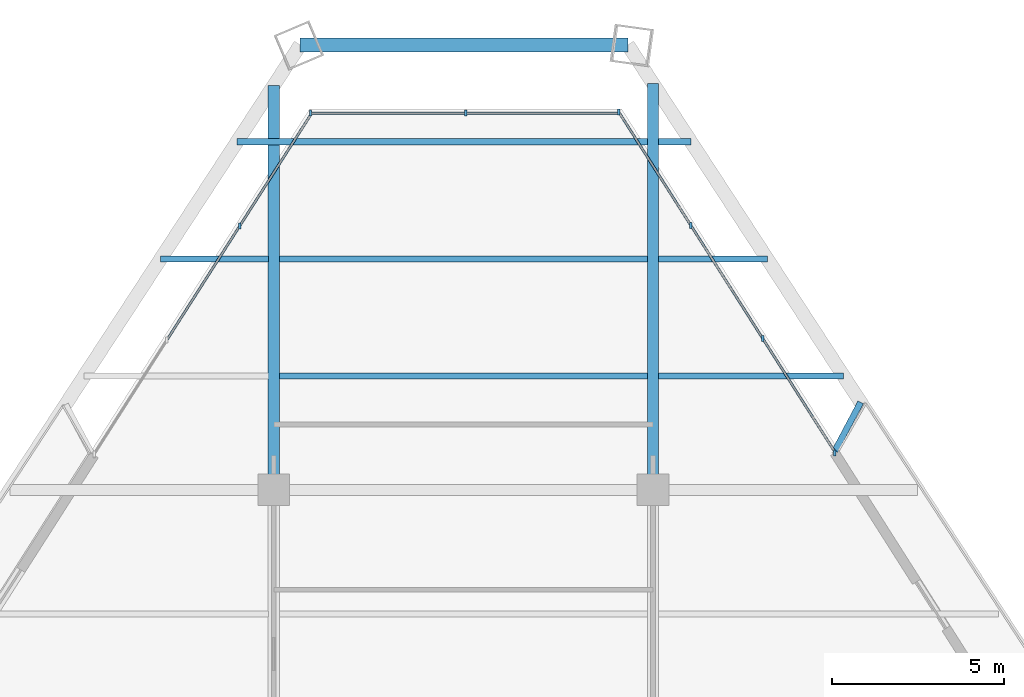
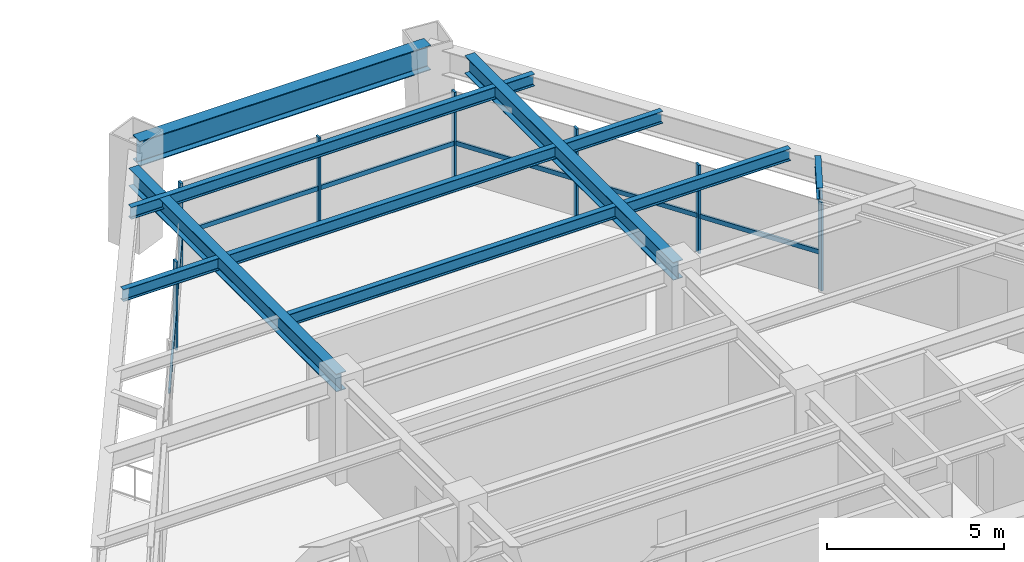
# One storey, part 9 of 15: 14 members, 11 beams, 3 elements without a shape of their own.
"""IFC4 building model written with IfcOpenShell, lengths in metres."""

from ifc_helpers import new_model, si_unit, direction, frame, origin, origin_2d, place, context, subcontext, project, spatial, rectangle, i_section, extrude, source, transform, mapped, material, material_profile, profile_set, type_object, element, aggregate, save


model = new_model("IFC4")

# Units and contexts
model_context = context("Model", 3, precision=1e-05, world=origin(), true_north=direction((0.0, 1.0)))
body_context = subcontext(model_context, "Body", "Model", "MODEL_VIEW")
ifc_project = project(units=[si_unit("LENGTHUNIT", "METRE"), si_unit("AREAUNIT", "SQUARE_METRE"), si_unit("VOLUMEUNIT", "CUBIC_METRE"), si_unit("PLANEANGLEUNIT", "RADIAN"), si_unit("MASSUNIT", "GRAM", prefix="KILO")], contexts=[model_context])

# Site, building, storey
site_placement = place(None, origin())
site = spatial("IfcSite", under=ifc_project, at=site_placement, CompositionType="ELEMENT")
building_placement = place(site_placement, origin())
building = spatial("IfcBuilding", under=site, at=building_placement, Name="Varnakhor Terracotta Tower", CompositionType="ELEMENT")
storey_placement = place(building_placement, frame((0.0, 0.0, 158.89990234375)))
storey = spatial("IfcBuildingStorey", under=building, at=storey_placement, Name="L40", CompositionType="ELEMENT", Elevation=158.89990234375)

# Beams
ifc_material_1 = material(Name="Steel S355", Category="steel")
ifc_material_profile_1 = material_profile(ifc_material_1, i_section(OverallWidth=0.179931640625, OverallDepth=0.4130859375, WebThickness=0.009765625, FlangeThickness=0.01611328125, FilletRadius=0.01806640625, at=origin_2d()), Name="W16X50")
ifc_profile_set_1 = profile_set([ifc_material_profile_1], Name="Steel S355")
beam_type_1 = type_object("IfcBeamType", Name="JST-W16X50", PredefinedType="JOIST", material=ifc_profile_set_1)
shared_shape_1 = source(origin(), body_context, "Body", "SweptSolid", [
    extrude(i_section(OverallWidth=0.179931640625, OverallDepth=0.4130859375, WebThickness=0.009765625, FlangeThickness=0.01611328125, FilletRadius=0.01806640625, at=origin_2d()), origin(), (0.0, 0.0, 1.0), 10.68310546875),
])
for number, where, z_axis, x_axis, name in (
    (1, (-5.341552734375, 34.800048828125, 3.263671875), (1.0, 0.0, 0.0), (0.0, 1.0, 0.0), "L40 Composite Floor Joist 7-2"),
    (2, (-5.341552734375, 38.199951171875, 3.263671875), (1.0, 0.0, 0.0), (0.0, 1.0, 0.0), "L40 Composite Floor Joist 8-2"),
):
    element("IfcBeam", number, at=place(storey_placement, frame(where, z_axis=z_axis, x_axis=x_axis)), inside=storey, type_object=beam_type_1, Name=name, PredefinedType="JOIST", context=body_context, shape_type="MappedRepresentation", body=[
        mapped(shared_shape_1, transform((0.0, 0.0, 0.0), scale=1.0)),
    ])
ifc_material_profile_2 = material_profile(ifc_material_1, i_section(OverallWidth=0.39990234375, OverallDepth=0.85498046875, WebThickness=0.01806640625, FlangeThickness=0.029052734375, FilletRadius=0.01806640625, at=origin_2d()), Name="W33X201")
ifc_profile_set_2 = profile_set([ifc_material_profile_2], Name="Steel S355")
beam_type_2 = type_object("IfcBeamType", Name="BM-W33X201", PredefinedType="BEAM", material=ifc_profile_set_2)
shared_shape_2 = source(origin(), body_context, "Body", "SweptSolid", [
    extrude(i_section(OverallWidth=0.39990234375, OverallDepth=0.85498046875, WebThickness=0.01806640625, FlangeThickness=0.029052734375, FilletRadius=0.01806640625, at=origin_2d()), origin(), (0.0, 0.0, 1.0), 9.504638671875),
])
beam_1_placement = place(storey_placement, frame((4.77099609375, 44.410400390625, 3.04248046875), z_axis=(-1.0, 0.0, 0.0), x_axis=(0.0, -1.0, 0.0)))
element("IfcBeam", 3, at=beam_1_placement, inside=storey, type_object=beam_type_2, Name="L40 Perimeter Spandrel 5", PredefinedType="BEAM", context=body_context, shape_type="MappedRepresentation", body=[
    mapped(shared_shape_2, transform((0.0, 0.0, 0.0), scale=1.0)),
])
ifc_material_profile_3 = material_profile(ifc_material_1, i_section(OverallWidth=0.324951171875, OverallDepth=0.615966796875, WebThickness=0.013916015625, FlangeThickness=0.02197265625, FilletRadius=0.01806640625, at=origin_2d()), Name="W24X117")
ifc_profile_set_3 = profile_set([ifc_material_profile_3], Name="Steel S355")
beam_type_3 = type_object("IfcBeamType", Name="BM-W24X117", PredefinedType="BEAM", material=ifc_profile_set_3)
shared_shape_3 = source(origin(), body_context, "Body", "SweptSolid", [
    extrude(i_section(OverallWidth=0.324951171875, OverallDepth=0.615966796875, WebThickness=0.013916015625, FlangeThickness=0.02197265625, FilletRadius=0.01806640625, at=origin_2d()), origin(), (0.0, 0.0, 1.0), 11.735595703125),
])
beam_2_placement = place(storey_placement, frame((-5.5, 31.5, 3.162109375), z_axis=(0.0, 1.0, 0.0), x_axis=(-1.0, 0.0, 0.0)))
element("IfcBeam", 4, at=beam_2_placement, inside=storey, type_object=beam_type_3, Name="L40 Primary Girder NS3-W", PredefinedType="BEAM", context=body_context, shape_type="MappedRepresentation", body=[
    mapped(shared_shape_3, transform((0.0, 0.0, 0.0), scale=1.0)),
])
shared_shape_4 = source(origin(), body_context, "Body", "SweptSolid", [
    extrude(i_section(OverallWidth=0.324951171875, OverallDepth=0.615966796875, WebThickness=0.013916015625, FlangeThickness=0.02197265625, FilletRadius=0.01806640625, at=origin_2d()), origin(), (0.0, 0.0, 1.0), 11.791259765625),
])
beam_3_placement = place(storey_placement, frame((5.5, 31.5, 3.162109375), z_axis=(0.0, 1.0, 0.0), x_axis=(-1.0, 0.0, 0.0)))
element("IfcBeam", 5, at=beam_3_placement, inside=storey, type_object=beam_type_3, Name="L40 Primary Girder NS3-E", PredefinedType="BEAM", context=body_context, shape_type="MappedRepresentation", body=[
    mapped(shared_shape_4, transform((0.0, 0.0, 0.0), scale=1.0)),
])
shared_shape_5 = source(origin(), body_context, "Body", "SweptSolid", [
    extrude(i_section(OverallWidth=0.179931640625, OverallDepth=0.4130859375, WebThickness=0.009765625, FlangeThickness=0.01611328125, FilletRadius=0.01806640625, at=origin_2d()), origin(), (0.0, 0.0, 1.0), 5.37353515625),
])
beam_4_placement = place(storey_placement, frame((5.658447265625, 34.800048828125, 3.263671875), z_axis=(1.0, 0.0, 0.0), x_axis=(0.0, 1.0, 0.0)))
element("IfcBeam", 6, at=beam_4_placement, inside=storey, type_object=beam_type_1, Name="L40 Composite Floor Joist 7-3", PredefinedType="JOIST", context=body_context, shape_type="MappedRepresentation", body=[
    mapped(shared_shape_5, transform((0.0, 0.0, 0.0), scale=1.0)),
])
shared_shape_6 = source(origin(), body_context, "Body", "SweptSolid", [
    extrude(i_section(OverallWidth=0.179931640625, OverallDepth=0.4130859375, WebThickness=0.009765625, FlangeThickness=0.01611328125, FilletRadius=0.01806640625, at=origin_2d()), origin(), (0.0, 0.0, 1.0), 3.12646484375),
])
beam_5_placement = place(storey_placement, frame((-8.784912109375, 38.199951171875, 3.263671875), z_axis=(1.0, 0.0, 0.0), x_axis=(0.0, 1.0, 0.0)))
element("IfcBeam", 7, at=beam_5_placement, inside=storey, type_object=beam_type_1, Name="L40 Composite Floor Joist 8-1", PredefinedType="JOIST", context=body_context, shape_type="MappedRepresentation", body=[
    mapped(shared_shape_6, transform((0.0, 0.0, 0.0), scale=1.0)),
])
shared_shape_7 = source(origin(), body_context, "Body", "SweptSolid", [
    extrude(i_section(OverallWidth=0.179931640625, OverallDepth=0.4130859375, WebThickness=0.009765625, FlangeThickness=0.01611328125, FilletRadius=0.01806640625, at=origin_2d()), origin(), (0.0, 0.0, 1.0), 3.158447265625),
])
beam_6_placement = place(storey_placement, frame((5.658447265625, 38.199951171875, 3.263671875), z_axis=(1.0, 0.0, 0.0), x_axis=(0.0, 1.0, 0.0)))
element("IfcBeam", 8, at=beam_6_placement, inside=storey, type_object=beam_type_1, Name="L40 Composite Floor Joist 8-3", PredefinedType="JOIST", context=body_context, shape_type="MappedRepresentation", body=[
    mapped(shared_shape_7, transform((0.0, 0.0, 0.0), scale=1.0)),
])
shared_shape_8 = source(origin(), body_context, "Body", "SweptSolid", [
    extrude(i_section(OverallWidth=0.179931640625, OverallDepth=0.4130859375, WebThickness=0.009765625, FlangeThickness=0.01611328125, FilletRadius=0.01806640625, at=origin_2d()), origin(), (0.0, 0.0, 1.0), 11.908447265625),
])
beam_7_placement = place(storey_placement, frame((-6.56689453125, 41.60009765625, 3.263671875), z_axis=(1.0, 0.0, 0.0), x_axis=(0.0, 1.0, 0.0)))
element("IfcBeam", 9, at=beam_7_placement, inside=storey, type_object=beam_type_1, Name="L40 Composite Floor Joist 9-1", PredefinedType="JOIST", context=body_context, shape_type="MappedRepresentation", body=[
    mapped(shared_shape_8, transform((0.0, 0.0, 0.0), scale=1.0)),
])
shared_shape_9 = source(origin(), body_context, "Body", "SweptSolid", [
    extrude(i_section(OverallWidth=0.179931640625, OverallDepth=0.4130859375, WebThickness=0.009765625, FlangeThickness=0.01611328125, FilletRadius=0.01806640625, at=origin_2d()), origin(), (0.0, 0.0, 1.0), 0.943359375),
])
beam_8_placement = place(storey_placement, frame((5.658447265625, 41.60009765625, 3.263671875), z_axis=(1.0, 0.0, 0.0), x_axis=(0.0, 1.0, 0.0)))
element("IfcBeam", 10, at=beam_8_placement, inside=storey, type_object=beam_type_1, Name="L40 Composite Floor Joist 9-2", PredefinedType="JOIST", context=body_context, shape_type="MappedRepresentation", body=[
    mapped(shared_shape_9, transform((0.0, 0.0, 0.0), scale=1.0)),
])

# Curtain wall, member
ifc_material_2 = material(Name="Anodised Aluminium Curtain Wall System", Category="aluminium")
curtain_wall_type = type_object("IfcCurtainWallType", Name="CW-SYS-MID-OFFICE", PredefinedType="NOTDEFINED", material=ifc_material_2)
curtain_wall_1_placement = place(storey_placement, origin())
curtain_wall_1 = element("IfcCurtainWall", 11, at=curtain_wall_1_placement, inside=storey, type_object=curtain_wall_type, Name="L40 W Facet Curtain Wall 2", PredefinedType="NOTDEFINED")
ifc_material_3 = material(Name="Anodised Aluminium 6063-T6", Category="aluminium")
ifc_material_profile_4 = material_profile(ifc_material_3, rectangle(XDim=0.070068359375, YDim=0.175048828125, at=origin_2d()), Name="ALU MULLION 70x175")
ifc_profile_set_4 = profile_set([ifc_material_profile_4], Name="Anodised Aluminium 6063-T6")
member_type_1 = type_object("IfcMemberType", Name="CWM-03", PredefinedType="MULLION", material=ifc_profile_set_4)
shared_shape_10 = source(origin(), body_context, "Body", "SweptSolid", [
    extrude(rectangle(XDim=0.070068359375, YDim=0.175048828125, at=origin_2d()), origin(), (0.0, 0.0, 1.0), 3.050048828125),
])
member_1_placement = place(storey_placement, frame((-6.490478515625, 39.1533203125, 0.0), z_axis=(0.0, 0.0, 1.0), x_axis=(1.0, 0.0, 0.0)))
member_1 = element("IfcMember", 12, at=member_1_placement, type_object=member_type_1, Name="L40 W Facet Curtain Wall 2 Mullion 3", PredefinedType="MULLION", context=body_context, shape_type="MappedRepresentation", body=[
    mapped(shared_shape_10, transform((0.0, 0.0, 0.0), scale=1.0)),
])

# Curtain wall, members
curtain_wall_2_placement = place(storey_placement, origin())
curtain_wall_2 = element("IfcCurtainWall", 13, at=curtain_wall_2_placement, inside=storey, type_object=curtain_wall_type, Name="L40 Facet Curtain Wall 2", PredefinedType="NOTDEFINED")
member_2_placement = place(storey_placement, frame((-4.43408203125, 42.428955078125, 0.0), z_axis=(0.0, 0.0, 1.0), x_axis=(1.0, 0.0, 0.0)))
member_2 = element("IfcMember", 14, at=member_2_placement, type_object=member_type_1, Name="L40 Facet Curtain Wall 2 Mullion 1", PredefinedType="MULLION", context=body_context, shape_type="MappedRepresentation", body=[
    mapped(shared_shape_10, transform((0.0, 0.0, 0.0), scale=1.0)),
])
member_3_placement = place(storey_placement, frame((0.06591796875, 42.428955078125, 0.0), z_axis=(0.0, 0.0, 1.0), x_axis=(1.0, 0.0, 0.0)))
member_3 = element("IfcMember", 15, at=member_3_placement, type_object=member_type_1, Name="L40 Facet Curtain Wall 2 Mullion 2", PredefinedType="MULLION", context=body_context, shape_type="MappedRepresentation", body=[
    mapped(shared_shape_10, transform((0.0, 0.0, 0.0), scale=1.0)),
])

curtain_wall_3_placement = place(storey_placement, origin())
curtain_wall_3 = element("IfcCurtainWall", 16, at=curtain_wall_3_placement, inside=storey, type_object=curtain_wall_type, Name="L40 E Facet Curtain Wall 1", PredefinedType="NOTDEFINED")
member_4_placement = place(storey_placement, frame((4.510498046875, 42.459228515625, 0.0), z_axis=(0.0, 0.0, 1.0), x_axis=(1.0, 0.0, 0.0)))
member_4 = element("IfcMember", 17, at=member_4_placement, type_object=member_type_1, Name="L40 E Facet Curtain Wall 1 Mullion 1", PredefinedType="MULLION", context=body_context, shape_type="MappedRepresentation", body=[
    mapped(shared_shape_10, transform((0.0, 0.0, 0.0), scale=1.0)),
])
member_5_placement = place(storey_placement, frame((6.598388671875, 39.17431640625, 0.0), z_axis=(0.0, 0.0, 1.0), x_axis=(1.0, 0.0, 0.0)))
member_5 = element("IfcMember", 18, at=member_5_placement, type_object=member_type_1, Name="L40 E Facet Curtain Wall 1 Mullion 2", PredefinedType="MULLION", context=body_context, shape_type="MappedRepresentation", body=[
    mapped(shared_shape_10, transform((0.0, 0.0, 0.0), scale=1.0)),
])
member_6_placement = place(storey_placement, frame((8.686279296875, 35.8896484375, 0.0), z_axis=(0.0, 0.0, 1.0), x_axis=(1.0, 0.0, 0.0)))
member_6 = element("IfcMember", 19, at=member_6_placement, type_object=member_type_1, Name="L40 E Facet Curtain Wall 1 Mullion 3", PredefinedType="MULLION", context=body_context, shape_type="MappedRepresentation", body=[
    mapped(shared_shape_10, transform((0.0, 0.0, 0.0), scale=1.0)),
])
member_7_placement = place(storey_placement, frame((10.7734375, 32.568603515625, 0.0), z_axis=(0.0, 0.0, 1.0), x_axis=(1.0, 0.0, 0.0)))
member_7 = element("IfcMember", 20, at=member_7_placement, type_object=member_type_1, Name="L40 E Loggia Jamb Closure Mullion 1", PredefinedType="MULLION", context=body_context, shape_type="MappedRepresentation", body=[
    mapped(shared_shape_10, transform((0.0, 0.0, 0.0), scale=1.0)),
])
ifc_material_profile_5 = material_profile(ifc_material_3, rectangle(XDim=0.070068359375, YDim=0.155029296875, at=origin_2d()), Name="ALU TRANSOM 70x155")
ifc_profile_set_5 = profile_set([ifc_material_profile_5], Name="Anodised Aluminium 6063-T6")
member_type_2 = type_object("IfcMemberType", Name="CWT-03", PredefinedType="USERDEFINED", material=ifc_profile_set_5)
shared_shape_11 = source(origin(), body_context, "Body", "SweptSolid", [
    extrude(rectangle(XDim=0.070068359375, YDim=0.155029296875, at=origin_2d()), origin(), (0.0, 0.0, 1.0), 3.892333984375),
])
member_8_placement = place(storey_placement, frame((4.510498046875, 42.459228515625, 1.281005859375), z_axis=(0.536416788761, -0.843953214778, 0.0), x_axis=(0.843953214778, 0.536416788761, 0.0)))
member_8 = element("IfcMember", 21, at=member_8_placement, type_object=member_type_2, Name="L40 E Facet Curtain Wall 1 Transom 1", ObjectType="TRANSOM", PredefinedType="USERDEFINED", context=body_context, shape_type="MappedRepresentation", body=[
    mapped(shared_shape_11, transform((0.0, 0.0, 0.0), scale=1.0)),
])
member_9_placement = place(storey_placement, frame((8.686279296875, 35.8896484375, 1.281005859375), z_axis=(0.536461462212, -0.843924818667, 0.0), x_axis=(0.843924818667, 0.536461462212, 0.0)))
member_9 = element("IfcMember", 22, at=member_9_placement, type_object=member_type_2, Name="L40 E Facet Curtain Wall 1 Transom 3", ObjectType="TRANSOM", PredefinedType="USERDEFINED", context=body_context, shape_type="MappedRepresentation", body=[
    mapped(shared_shape_11, transform((0.0, 0.0, 0.0), scale=1.0)),
])

# Member
shared_shape_12 = source(origin(), body_context, "Body", "SweptSolid", [
    extrude(rectangle(XDim=0.070068359375, YDim=0.155029296875, at=origin_2d()), origin(), (0.0, 0.0, 1.0), 3.922607421875),
])
member_10_placement = place(storey_placement, frame((-8.60205078125, 35.847412109375, 1.281005859375), z_axis=(0.538292285318, 0.842758218926, 0.0), x_axis=(-0.842758218926, 0.538292285318, 0.0)))
member_10 = element("IfcMember", 23, at=member_10_placement, type_object=member_type_2, Name="L40 W Facet Curtain Wall 2 Transom 2", ObjectType="TRANSOM", PredefinedType="USERDEFINED", context=body_context, shape_type="MappedRepresentation", body=[
    mapped(shared_shape_12, transform((0.0, 0.0, 0.0), scale=1.0)),
])

member_11_placement = place(storey_placement, frame((-6.490478515625, 39.1533203125, 1.281005859375), z_axis=(0.538320520562, 0.842740183652, 0.0), x_axis=(-0.842740183652, 0.538320520562, 0.0)))
member_11 = element("IfcMember", 24, at=member_11_placement, type_object=member_type_2, Name="L40 W Facet Curtain Wall 2 Transom 3", ObjectType="TRANSOM", PredefinedType="USERDEFINED", context=body_context, shape_type="MappedRepresentation", body=[
    mapped(shared_shape_12, transform((0.0, 0.0, 0.0), scale=1.0)),
])

aggregate(curtain_wall_1, [member_10, member_1, member_11])

shared_shape_13 = source(origin(), body_context, "Body", "SweptSolid", [
    extrude(rectangle(XDim=0.070068359375, YDim=0.155029296875, at=origin_2d()), origin(), (0.0, 0.0, 1.0), 4.5),
])
member_12_placement = place(storey_placement, frame((-4.43408203125, 42.428955078125, 1.281005859375), z_axis=(1.0, 0.0, 0.0), x_axis=(0.0, 1.0, 0.0)))
member_12 = element("IfcMember", 25, at=member_12_placement, type_object=member_type_2, Name="L40 Facet Curtain Wall 2 Transom 1", ObjectType="TRANSOM", PredefinedType="USERDEFINED", context=body_context, shape_type="MappedRepresentation", body=[
    mapped(shared_shape_13, transform((0.0, 0.0, 0.0), scale=1.0)),
])

shared_shape_14 = source(origin(), body_context, "Body", "SweptSolid", [
    extrude(rectangle(XDim=0.070068359375, YDim=0.155029296875, at=origin_2d()), origin(), (0.0, 0.0, 1.0), 4.499755859375),
])
member_13_placement = place(storey_placement, frame((0.06591796875, 42.428955078125, 1.281005859375), z_axis=(1.0, 0.0, 0.0), x_axis=(0.0, 1.0, 0.0)))
member_13 = element("IfcMember", 26, at=member_13_placement, type_object=member_type_2, Name="L40 Facet Curtain Wall 2 Transom 2", ObjectType="TRANSOM", PredefinedType="USERDEFINED", context=body_context, shape_type="MappedRepresentation", body=[
    mapped(shared_shape_14, transform((0.0, 0.0, 0.0), scale=1.0)),
])

aggregate(curtain_wall_2, [member_2, member_12, member_3, member_13])

shared_shape_15 = source(origin(), body_context, "Body", "SweptSolid", [
    extrude(rectangle(XDim=0.070068359375, YDim=0.155029296875, at=origin_2d()), origin(), (0.0, 0.0, 1.0), 3.89208984375),
])
member_14_placement = place(storey_placement, frame((6.598388671875, 39.17431640625, 1.281005859375), z_axis=(0.536445185846, -0.843935164917, 0.0), x_axis=(0.843935164917, 0.536445185846, 0.0)))
member_14 = element("IfcMember", 27, at=member_14_placement, type_object=member_type_2, Name="L40 E Facet Curtain Wall 1 Transom 2", ObjectType="TRANSOM", PredefinedType="USERDEFINED", context=body_context, shape_type="MappedRepresentation", body=[
    mapped(shared_shape_15, transform((0.0, 0.0, 0.0), scale=1.0)),
])

aggregate(curtain_wall_3, [member_4, member_8, member_5, member_14, member_6, member_9, member_7])

# Beam
ifc_material_profile_6 = material_profile(ifc_material_1, i_section(OverallWidth=0.179931640625, OverallDepth=0.39990234375, WebThickness=0.008544921875, FlangeThickness=0.013427734375, FilletRadius=0.01806640625, at=origin_2d()), Name="IPE400")
ifc_profile_set_6 = profile_set([ifc_material_profile_6], Name="Steel S355")
beam_type_4 = type_object("IfcBeamType", Name="JST-IPE400", PredefinedType="JOIST", material=ifc_profile_set_6)
shared_shape_16 = source(origin(), body_context, "Body", "SweptSolid", [
    extrude(i_section(OverallWidth=0.179931640625, OverallDepth=0.39990234375, WebThickness=0.008544921875, FlangeThickness=0.013427734375, FilletRadius=0.01806640625, at=origin_2d()), origin(), (0.0, 0.0, 1.0), 1.602294921875),
])
beam_9_placement = place(storey_placement, frame((10.775634765625, 32.62451171875, 3.27001953125), z_axis=(0.468958413522, 0.883220247949, 0.0), x_axis=(-0.883220247949, 0.468958413522, 0.0)))
element("IfcBeam", 28, at=beam_9_placement, inside=storey, type_object=beam_type_4, Name="L41 E Loggia Tie Beam 1", PredefinedType="JOIST", context=body_context, shape_type="MappedRepresentation", body=[
    mapped(shared_shape_16, transform((0.0, 0.0, 0.0), scale=1.0)),
])

save(model, "model.ifc")
